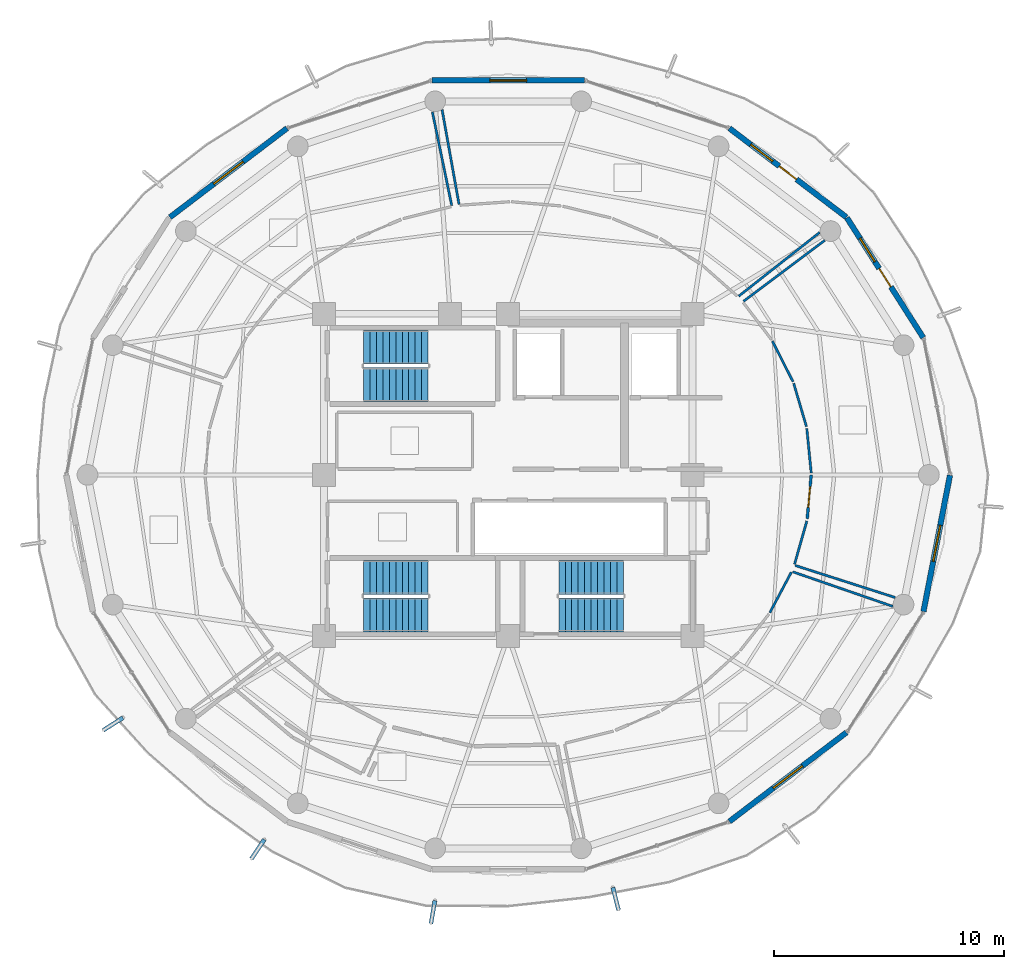
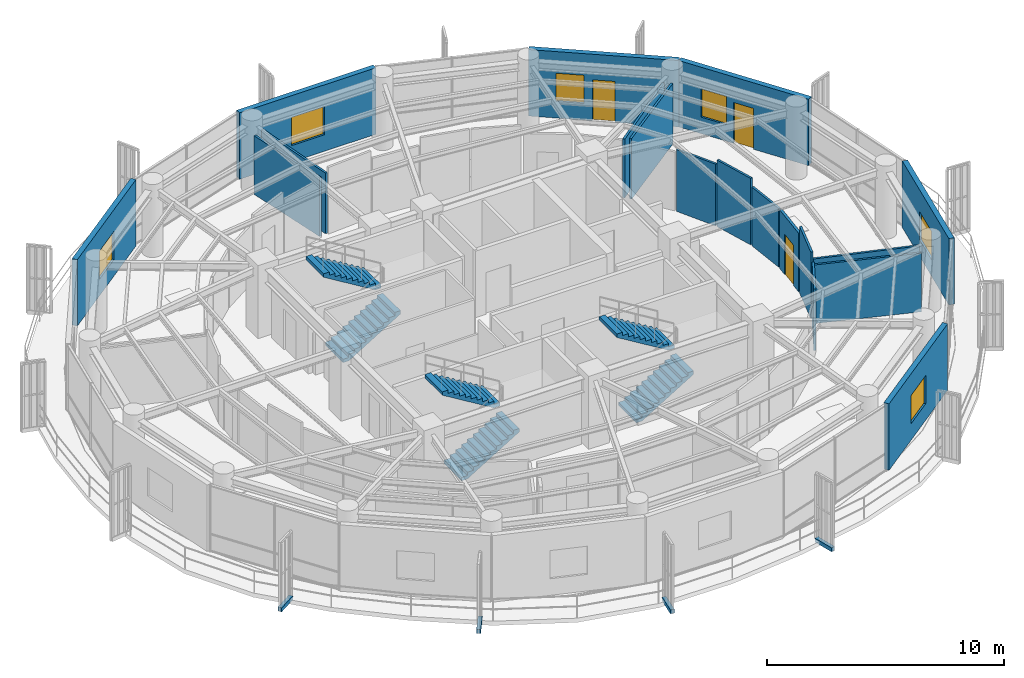
# One storey, part 18 of 23: 18 walls, 6 stair flights, 6 windows, 4 discrete accessories, 3 doors, 9 openings, 3 elements without a shape of their own.
"""IFC4 building model written with IfcOpenShell, lengths in metres."""

from ifc_helpers import new_model, si_unit, direction, frame, frame_2d, origin, origin_2d, place, context, subcontext, project, spatial, polyline, rectangle, outline, extrude, source, transform, mapped, material, layer, layer_set, type_object, element, fill, aggregate, save


model = new_model("IFC4")

# Units and contexts
model_context = context("Model", 3, precision=1e-05, world=origin(), true_north=direction((0.0, 1.0)))
body_context = subcontext(model_context, "Body", "Model", "MODEL_VIEW")
ifc_project = project(units=[si_unit("LENGTHUNIT", "METRE"), si_unit("AREAUNIT", "SQUARE_METRE"), si_unit("VOLUMEUNIT", "CUBIC_METRE"), si_unit("PLANEANGLEUNIT", "RADIAN"), si_unit("MASSUNIT", "GRAM", prefix="KILO")], contexts=[model_context])

# Site, building, storey
site_placement = place(None, origin())
site = spatial("IfcSite", under=ifc_project, at=site_placement, CompositionType="ELEMENT")
building_placement = place(site_placement, origin())
building = spatial("IfcBuilding", under=site, at=building_placement, Name="Kelanora Arch Commons", CompositionType="ELEMENT")
storey_placement = place(building_placement, frame((0.0, 0.0, 289.949951171875)))
storey = spatial("IfcBuildingStorey", under=building, at=storey_placement, Name="L74", CompositionType="ELEMENT", Elevation=289.949951171875)

# Wall, openings, door, window
ifc_material_1 = material(Name="Precast concrete C40/50 upper-zone terracotta rainscreen", Category="masonry")
ifc_layer_1 = layer(ifc_material_1, 0.239990234375)
ifc_layer_set_1 = layer_set([ifc_layer_1], Name="Precast concrete C40/50 upper-zone terracotta rainscreen")
wall_type_1 = type_object("IfcWallType", Name="W-EXT-TC2", PredefinedType="SOLIDWALL", material=ifc_layer_set_1)
wall_1_placement = place(storey_placement, frame((92.033935546875, 63.9638671875, 0.0), z_axis=(0.0, 0.0, 1.0), x_axis=(-0.537271968456, 0.843409053728, 0.0)))
wall_1 = element("IfcWall", 1, at=wall_1_placement, inside=storey, type_object=wall_type_1, Name="Terracotta Exterior Wall L74-B01", PredefinedType="SOLIDWALL", context=body_context, shape_type="SweptSolid", body=[
    extrude(rectangle(XDim=6.175048828125, YDim=0.239990234375, at=frame_2d((3.08740234375, 0.0))), origin(), (0.0, 0.0, 1.0), 3.4150390625),
])
opening_1_placement = place(wall_1_placement, frame((2.613037109375, 0.0, 0.0)))
opening_1 = element("IfcOpeningElement", 2, at=opening_1_placement, cuts=wall_1, Name="Opening DB-01", PredefinedType="OPENING", context=body_context, shape_type="SweptSolid", body=[
    extrude(rectangle(XDim=0.949951171875, YDim=2.10009765625, at=frame_2d((0.47509765625, 1.050048828125))), frame((0.0, 0.1298828125, 0.0), z_axis=(0.0, -1.0, 0.0), x_axis=(1.0, 0.0, 0.0)), (0.0, 0.0, 1.0), 0.260009765625),
])
opening_2_placement = place(wall_1_placement, frame((3.9130859375, 0.0, 0.85009765625)))
opening_2 = element("IfcOpeningElement", 3, at=opening_2_placement, cuts=wall_1, Name="Opening WN-02", PredefinedType="OPENING", context=body_context, shape_type="SweptSolid", body=[
    extrude(rectangle(XDim=1.199951171875, YDim=1.449951171875, at=frame_2d((0.60009765625, 0.72509765625))), frame((0.0, 0.1298828125, 0.0), z_axis=(0.0, -1.0, 0.0), x_axis=(1.0, 0.0, 0.0)), (0.0, 0.0, 1.0), 0.260009765625),
])
ifc_material_2 = material(Name="Terracotta-aluminium thermally broken glazed balcony door", Category="masonry")
door_type_1 = type_object("IfcDoorType", Name="D-BAL-10", OperationType="NOTDEFINED", PredefinedType="DOOR", material=ifc_material_2)
door_1_placement = place(opening_1_placement, frame((0.949951171875, 0.0, 0.0), z_axis=(0.0, 0.0, 1.0), x_axis=(-1.0, 0.0, 0.0)))
door_1 = element("IfcDoor", 4, at=door_1_placement, inside=storey, type_object=door_type_1, Name="Wave Balcony Door L74-B01", OperationType="SINGLE_SWING_RIGHT", OverallHeight=2.10009765625, OverallWidth=0.949951171875, PredefinedType="DOOR", context=body_context, shape_type="SweptSolid", body=[
    extrude(rectangle(XDim=0.949951171875, YDim=2.10009765625, at=frame_2d((0.47509765625, 1.050048828125))), frame((0.0, 0.02490234375, 0.0), z_axis=(0.0, -1.0, 0.0), x_axis=(1.0, 0.0, 0.0)), (0.0, 0.0, 1.0), 0.050048828125),
])
fill(opening_1, door_1)
ifc_material_3 = material(Name="Terracotta-anodised aluminium frame with operable awning sash", Category="masonry")
window_type_1 = type_object("IfcWindowType", Name="WIN-CL-12", PartitioningType="SINGLE_PANEL", PredefinedType="WINDOW", material=ifc_material_3)
window_1_placement = place(opening_2_placement, origin())
window_1 = element("IfcWindow", 5, at=window_1_placement, inside=storey, type_object=window_type_1, Name="Co-Living Operable Window L74-B01", OverallHeight=1.449951171875, OverallWidth=1.199951171875, PartitioningType="SINGLE_PANEL", PredefinedType="WINDOW", context=body_context, shape_type="SweptSolid", body=[
    extrude(rectangle(XDim=1.199951171875, YDim=1.449951171875, at=frame_2d((0.60009765625, 0.72509765625))), frame((0.0, 0.030029296875, 0.0), z_axis=(0.0, -1.0, 0.0), x_axis=(1.0, 0.0, 0.0)), (0.0, 0.0, 1.0), 0.06005859375),
])
fill(opening_2, window_1)

wall_2_placement = place(storey_placement, frame((88.6962890625, 69.193603515625, 0.0), z_axis=(0.0, 0.0, 1.0), x_axis=(-0.796010444211, 0.605282886514, 0.0)))
wall_2 = element("IfcWall", 6, at=wall_2_placement, inside=storey, type_object=wall_type_1, Name="Terracotta Exterior Wall L74-B02", PredefinedType="SOLIDWALL", context=body_context, shape_type="SweptSolid", body=[
    extrude(rectangle(XDim=6.387451171875, YDim=0.239990234375, at=frame_2d((3.19384765625, 0.0))), origin(), (0.0, 0.0, 1.0), 3.4150390625),
])
opening_3_placement = place(wall_2_placement, frame((2.718994140625, 0.0, 0.0)))
opening_3 = element("IfcOpeningElement", 7, at=opening_3_placement, cuts=wall_2, Name="Opening DB-01", PredefinedType="OPENING", context=body_context, shape_type="SweptSolid", body=[
    extrude(rectangle(XDim=0.949951171875, YDim=2.10009765625, at=frame_2d((0.47509765625, 1.050048828125))), frame((0.0, 0.1298828125, 0.0), z_axis=(0.0, -1.0, 0.0), x_axis=(1.0, 0.0, 0.0)), (0.0, 0.0, 1.0), 0.260009765625),
])
opening_4_placement = place(wall_2_placement, frame((4.01904296875, 0.0, 0.85009765625)))
opening_4 = element("IfcOpeningElement", 8, at=opening_4_placement, cuts=wall_2, Name="Opening WN-02", PredefinedType="OPENING", context=body_context, shape_type="SweptSolid", body=[
    extrude(rectangle(XDim=1.199951171875, YDim=1.449951171875, at=frame_2d((0.60009765625, 0.72509765625))), frame((0.0, 0.1298828125, 0.0), z_axis=(0.0, -1.0, 0.0), x_axis=(1.0, 0.0, 0.0)), (0.0, 0.0, 1.0), 0.260009765625),
])
door_2_placement = place(opening_3_placement, frame((0.949951171875, 0.0, 0.0), z_axis=(0.0, 0.0, 1.0), x_axis=(-1.0, 0.0, 0.0)))
door_2 = element("IfcDoor", 9, at=door_2_placement, inside=storey, type_object=door_type_1, Name="Wave Balcony Door L74-B02", OperationType="SINGLE_SWING_LEFT", OverallHeight=2.10009765625, OverallWidth=0.949951171875, PredefinedType="DOOR", context=body_context, shape_type="SweptSolid", body=[
    extrude(rectangle(XDim=0.949951171875, YDim=2.10009765625, at=frame_2d((0.47509765625, 1.050048828125))), frame((0.0, 0.02490234375, 0.0), z_axis=(0.0, -1.0, 0.0), x_axis=(1.0, 0.0, 0.0)), (0.0, 0.0, 1.0), 0.050048828125),
])
fill(opening_3, door_2)
window_2_placement = place(opening_4_placement, origin())
window_2 = element("IfcWindow", 10, at=window_2_placement, inside=storey, type_object=window_type_1, Name="Co-Living Operable Window L74-B02", OverallHeight=1.449951171875, OverallWidth=1.199951171875, PartitioningType="SINGLE_PANEL", PredefinedType="WINDOW", context=body_context, shape_type="SweptSolid", body=[
    extrude(rectangle(XDim=1.199951171875, YDim=1.449951171875, at=frame_2d((0.60009765625, 0.72509765625))), frame((0.0, 0.030029296875, 0.0), z_axis=(0.0, -1.0, 0.0), x_axis=(1.0, 0.0, 0.0)), (0.0, 0.0, 1.0), 0.06005859375),
])
fill(opening_4, window_2)

# Wall, opening, window
wall_3_placement = place(storey_placement, frame((77.319091796875, 75.1357421875, 0.0), z_axis=(0.0, 0.0, 1.0), x_axis=(-1.0, 0.0, 0.0)))
wall_3 = element("IfcWall", 11, at=wall_3_placement, inside=storey, type_object=wall_type_1, Name="Terracotta Exterior Wall L74-B04", PredefinedType="SOLIDWALL", context=body_context, shape_type="SweptSolid", body=[
    extrude(rectangle(XDim=6.63818359375, YDim=0.239990234375, at=frame_2d((3.319091796875, 0.0))), origin(), (0.0, 0.0, 1.0), 3.4150390625),
])
opening_5_placement = place(wall_3_placement, frame((2.51904296875, 0.0, 0.85009765625)))
opening_5 = element("IfcOpeningElement", 12, at=opening_5_placement, cuts=wall_3, Name="Opening WN-01", PredefinedType="OPENING", context=body_context, shape_type="SweptSolid", body=[
    extrude(rectangle(XDim=1.60009765625, YDim=1.449951171875, at=frame_2d((0.800048828125, 0.72509765625))), frame((0.0, 0.1298828125, 0.0), z_axis=(0.0, -1.0, 0.0), x_axis=(1.0, 0.0, 0.0)), (0.0, 0.0, 1.0), 0.260009765625),
])
ifc_material_4 = material(Name="Terracotta-anodised aluminium frame with operable low-E glazing", Category="masonry")
window_type_2 = type_object("IfcWindowType", Name="WIN-CL-18", PartitioningType="DOUBLE_PANEL_VERTICAL", PredefinedType="WINDOW", material=ifc_material_4)
window_3_placement = place(opening_5_placement, origin())
window_3 = element("IfcWindow", 13, at=window_3_placement, inside=storey, type_object=window_type_2, Name="Co-Living Operable Window L74-B04", OverallHeight=1.449951171875, OverallWidth=1.60009765625, PartitioningType="SINGLE_PANEL", PredefinedType="WINDOW", context=body_context, shape_type="SweptSolid", body=[
    extrude(rectangle(XDim=1.60009765625, YDim=1.449951171875, at=frame_2d((0.800048828125, 0.72509765625))), frame((0.0, 0.030029296875, 0.0), z_axis=(0.0, -1.0, 0.0), x_axis=(1.0, 0.0, 0.0)), (0.0, 0.0, 1.0), 0.06005859375),
])
fill(opening_5, window_3)

wall_4_placement = place(storey_placement, frame((64.38818359375, 73.059814453125, 0.0), z_axis=(0.0, 0.0, 1.0), x_axis=(-0.796010444211, -0.605282886514, 0.0)))
wall_4 = element("IfcWall", 14, at=wall_4_placement, inside=storey, type_object=wall_type_1, Name="Terracotta Exterior Wall L74-B06", PredefinedType="SOLIDWALL", context=body_context, shape_type="SweptSolid", body=[
    extrude(rectangle(XDim=6.387451171875, YDim=0.239990234375, at=frame_2d((3.19384765625, 0.0))), origin(), (0.0, 0.0, 1.0), 3.4150390625),
])
opening_6_placement = place(wall_4_placement, frame((2.39404296875, 0.0, 0.85009765625)))
opening_6 = element("IfcOpeningElement", 15, at=opening_6_placement, cuts=wall_4, Name="Opening WN-01", PredefinedType="OPENING", context=body_context, shape_type="SweptSolid", body=[
    extrude(rectangle(XDim=1.60009765625, YDim=1.449951171875, at=frame_2d((0.800048828125, 0.72509765625))), frame((0.0, 0.1298828125, 0.0), z_axis=(0.0, -1.0, 0.0), x_axis=(1.0, 0.0, 0.0)), (0.0, 0.0, 1.0), 0.260009765625),
])
window_4_placement = place(opening_6_placement, origin())
window_4 = element("IfcWindow", 16, at=window_4_placement, inside=storey, type_object=window_type_2, Name="Co-Living Operable Window L74-B06", OverallHeight=1.449951171875, OverallWidth=1.60009765625, PartitioningType="SINGLE_PANEL", PredefinedType="WINDOW", context=body_context, shape_type="SweptSolid", body=[
    extrude(rectangle(XDim=1.60009765625, YDim=1.449951171875, at=frame_2d((0.800048828125, 0.72509765625))), frame((0.0, 0.030029296875, 0.0), z_axis=(0.0, -1.0, 0.0), x_axis=(1.0, 0.0, 0.0)), (0.0, 0.0, 1.0), 0.06005859375),
])
fill(opening_6, window_4)

wall_5_placement = place(storey_placement, frame((83.61181640625, 42.940185546875, 0.0), z_axis=(0.0, 0.0, 1.0), x_axis=(0.796010444211, 0.605282886514, 0.0)))
wall_5 = element("IfcWall", 17, at=wall_5_placement, inside=storey, type_object=wall_type_1, Name="Terracotta Exterior Wall L74-B15", PredefinedType="SOLIDWALL", context=body_context, shape_type="SweptSolid", body=[
    extrude(rectangle(XDim=6.387451171875, YDim=0.239990234375, at=frame_2d((3.19384765625, 0.0))), origin(), (0.0, 0.0, 1.0), 3.4150390625),
])
opening_7_placement = place(wall_5_placement, frame((2.39404296875, 0.0, 0.85009765625)))
opening_7 = element("IfcOpeningElement", 18, at=opening_7_placement, cuts=wall_5, Name="Opening WN-01", PredefinedType="OPENING", context=body_context, shape_type="SweptSolid", body=[
    extrude(rectangle(XDim=1.60009765625, YDim=1.449951171875, at=frame_2d((0.800048828125, 0.72509765625))), frame((0.0, 0.1298828125, 0.0), z_axis=(0.0, -1.0, 0.0), x_axis=(1.0, 0.0, 0.0)), (0.0, 0.0, 1.0), 0.260009765625),
])
window_5_placement = place(opening_7_placement, origin())
window_5 = element("IfcWindow", 19, at=window_5_placement, inside=storey, type_object=window_type_2, Name="Co-Living Operable Window L74-B15", OverallHeight=1.449951171875, OverallWidth=1.60009765625, PartitioningType="SINGLE_PANEL", PredefinedType="WINDOW", context=body_context, shape_type="SweptSolid", body=[
    extrude(rectangle(XDim=1.60009765625, YDim=1.449951171875, at=frame_2d((0.800048828125, 0.72509765625))), frame((0.0, 0.030029296875, 0.0), z_axis=(0.0, -1.0, 0.0), x_axis=(1.0, 0.0, 0.0)), (0.0, 0.0, 1.0), 0.06005859375),
])
fill(opening_7, window_5)

wall_6_placement = place(storey_placement, frame((92.044921875, 52.0634765625, 0.0), z_axis=(0.0, 0.0, 1.0), x_axis=(0.190969309115, 0.981596008028, 0.0)))
wall_6 = element("IfcWall", 20, at=wall_6_placement, inside=storey, type_object=wall_type_1, Name="Terracotta Exterior Wall L74-B17", PredefinedType="SOLIDWALL", context=body_context, shape_type="SweptSolid", body=[
    extrude(rectangle(XDim=6.032958984375, YDim=0.239990234375, at=frame_2d((3.0166015625, 0.0))), origin(), (0.0, 0.0, 1.0), 3.4150390625),
])
opening_8_placement = place(wall_6_placement, frame((2.216064453125, 0.0, 0.85009765625)))
opening_8 = element("IfcOpeningElement", 21, at=opening_8_placement, cuts=wall_6, Name="Opening WN-01", PredefinedType="OPENING", context=body_context, shape_type="SweptSolid", body=[
    extrude(rectangle(XDim=1.60009765625, YDim=1.449951171875, at=frame_2d((0.800048828125, 0.72509765625))), frame((0.0, 0.1298828125, 0.0), z_axis=(0.0, -1.0, 0.0), x_axis=(1.0, 0.0, 0.0)), (0.0, 0.0, 1.0), 0.260009765625),
])
window_6_placement = place(opening_8_placement, origin())
window_6 = element("IfcWindow", 22, at=window_6_placement, inside=storey, type_object=window_type_2, Name="Co-Living Operable Window L74-B17", OverallHeight=1.449951171875, OverallWidth=1.60009765625, PartitioningType="SINGLE_PANEL", PredefinedType="WINDOW", context=body_context, shape_type="SweptSolid", body=[
    extrude(rectangle(XDim=1.60009765625, YDim=1.449951171875, at=frame_2d((0.800048828125, 0.72509765625))), frame((0.0, 0.030029296875, 0.0), z_axis=(0.0, -1.0, 0.0), x_axis=(1.0, 0.0, 0.0)), (0.0, 0.0, 1.0), 0.06005859375),
])
fill(opening_8, window_6)

# Walls
ifc_material_5 = material(Name="Lightweight fire-rated acoustic stud partition")
ifc_layer_2 = layer(ifc_material_5, 0.10009765625)
ifc_layer_set_2 = layer_set([ifc_layer_2], Name="Lightweight fire-rated acoustic stud partition")
wall_type_2 = type_object("IfcWallType", Name="W-PART-100", PredefinedType="PARTITIONING", material=ifc_layer_set_2)
wall_7_placement = place(storey_placement, frame((70.706787109375, 73.769775390625, 0.0), z_axis=(0.0, 0.0, 1.0), x_axis=(0.202308141573, -0.979321916355, 0.0)))
element("IfcWall", 23, at=wall_7_placement, inside=storey, type_object=wall_type_2, Name="Communal Dining and Social Hall L74-01 Enclosure Partition 14", PredefinedType="PARTITIONING", context=body_context, shape_type="SweptSolid", body=[
    extrude(rectangle(XDim=4.152587890625, YDim=0.10009765625, at=frame_2d((2.076171875, 0.0))), origin(), (0.0, 0.0, 1.0), 3.01513671875),
])
wall_8_placement = place(storey_placement, frame((85.370849609375, 52.016357421875, 0.0), z_axis=(0.0, 0.0, 1.0), x_axis=(0.468933294906, 0.883233584579, 0.0)))
element("IfcWall", 24, at=wall_8_placement, inside=storey, type_object=wall_type_2, Name="Quiet Seminar Study Room L74-04 Enclosure Partition 6", PredefinedType="PARTITIONING", context=body_context, shape_type="SweptSolid", body=[
    extrude(rectangle(XDim=1.984130859375, YDim=0.10009765625, at=frame_2d((0.9921875, 0.0))), origin(), (0.0, 0.0, 1.0), 3.175048828125),
])
wall_9_placement = place(storey_placement, frame((86.35791015625, 53.791015625, 0.0), z_axis=(0.0, 0.0, 1.0), x_axis=(0.945103281494, -0.326771766388, 0.0)))
element("IfcWall", 25, at=wall_9_placement, inside=storey, type_object=wall_type_2, Name="Quiet Seminar Study Room L74-04 Enclosure Partition 7", PredefinedType="PARTITIONING", context=body_context, shape_type="SweptSolid", body=[
    extrude(rectangle(XDim=4.603759765625, YDim=0.10009765625, at=frame_2d((2.3017578125, 0.0))), origin(), (0.0, 0.0, 1.0), 3.01513671875),
])
wall_10_placement = place(storey_placement, frame((86.44091796875, 54.115478515625, 0.0), z_axis=(0.0, 0.0, 1.0), x_axis=(0.274226302341, 0.961665188673, 0.0)))
element("IfcWall", 26, at=wall_10_placement, inside=storey, type_object=wall_type_2, Name="Communal Dining and Social Hall L74-05 Enclosure Partition 1", PredefinedType="PARTITIONING", context=body_context, shape_type="SweptSolid", body=[
    extrude(rectangle(XDim=1.955078125, YDim=0.10009765625, at=frame_2d((0.9775390625, 0.0))), origin(), (0.0, 0.0, 1.0), 3.420166015625),
])
wall_11_placement = place(storey_placement, frame((87.166015625, 58.087890625, 0.0), z_axis=(0.0, 0.0, 1.0), x_axis=(-0.098769631998, 0.995110325439, 0.0)))
element("IfcWall", 27, at=wall_11_placement, inside=storey, type_object=wall_type_2, Name="Communal Dining and Social Hall L74-05 Enclosure Partition 3", PredefinedType="PARTITIONING", context=body_context, shape_type="SweptSolid", body=[
    extrude(rectangle(XDim=1.94287109375, YDim=0.10009765625, at=frame_2d((0.971435546875, 0.0))), origin(), (0.0, 0.0, 1.0), 3.01513671875),
])
wall_12_placement = place(storey_placement, frame((86.958740234375, 60.099365234375, 0.0), z_axis=(0.0, 0.0, 1.0), x_axis=(-0.28293653612, 0.959138632591, 0.0)))
element("IfcWall", 28, at=wall_12_placement, inside=storey, type_object=wall_type_2, Name="Communal Dining and Social Hall L74-05 Enclosure Partition 4", PredefinedType="PARTITIONING", context=body_context, shape_type="SweptSolid", body=[
    extrude(rectangle(XDim=1.9560546875, YDim=0.10009765625, at=frame_2d((0.97802734375, 0.0))), origin(), (0.0, 0.0, 1.0), 3.420166015625),
])
wall_13_placement = place(storey_placement, frame((86.3759765625, 62.049560546875, 0.0), z_axis=(0.0, 0.0, 1.0), x_axis=(-0.453658133306, 0.891175795276, 0.0)))
element("IfcWall", 29, at=wall_13_placement, inside=storey, type_object=wall_type_2, Name="Communal Dining and Social Hall L74-05 Enclosure Partition 5", PredefinedType="PARTITIONING", context=body_context, shape_type="SweptSolid", body=[
    extrude(rectangle(XDim=1.9814453125, YDim=0.10009765625, at=frame_2d((0.99072265625, 0.0))), origin(), (0.0, 0.0, 1.0), 3.175048828125),
])
wall_14_placement = place(storey_placement, frame((84.222900390625, 65.5419921875, 0.0), z_axis=(0.0, 0.0, 1.0), x_axis=(0.800384816546, 0.599486568191, 0.0)))
element("IfcWall", 30, at=wall_14_placement, inside=storey, type_object=wall_type_2, Name="Communal Dining and Social Hall L74-05 Enclosure Partition 7", PredefinedType="PARTITIONING", context=body_context, shape_type="SweptSolid", body=[
    extrude(rectangle(XDim=4.413818359375, YDim=0.10009765625, at=frame_2d((2.20703125, 0.0))), origin(), (0.0, 0.0, 1.0), 3.114990234375),
])
wall_15_placement = place(storey_placement, frame((90.815673828125, 52.671142578125, 0.0), z_axis=(0.0, 0.0, 1.0), x_axis=(-0.95227750557, 0.305233602976, 0.0)))
element("IfcWall", 31, at=wall_15_placement, inside=storey, type_object=wall_type_2, Name="Communal Dining and Social Hall L74-05 Enclosure Partition 14", PredefinedType="PARTITIONING", context=body_context, shape_type="SweptSolid", body=[
    extrude(rectangle(XDim=4.5654296875, YDim=0.10009765625, at=frame_2d((2.28271484375, 0.0))), origin(), (0.0, 0.0, 1.0), 3.114990234375),
])
wall_16_placement = place(storey_placement, frame((71.864990234375, 69.75341796875, 0.0), z_axis=(0.0, 0.0, 1.0), x_axis=(-0.176199339585, 0.984354505618, 0.0)))
element("IfcWall", 32, at=wall_16_placement, inside=storey, type_object=wall_type_2, Name="Social Sky Lounge L74-06 Enclosure Partition 7", PredefinedType="PARTITIONING", context=body_context, shape_type="SweptSolid", body=[
    extrude(rectangle(XDim=4.17626953125, YDim=0.10009765625, at=frame_2d((2.088134765625, 0.0))), origin(), (0.0, 0.0, 1.0), 3.114990234375),
])
wall_17_placement = place(storey_placement, frame((87.5322265625, 68.532470703125, 0.0), z_axis=(0.0, 0.0, 1.0), x_axis=(-0.785736749878, -0.618561039745, 0.0)))
element("IfcWall", 33, at=wall_17_placement, inside=storey, type_object=wall_type_2, Name="Social Sky Lounge L74-06 Enclosure Partition 14", PredefinedType="PARTITIONING", context=body_context, shape_type="SweptSolid", body=[
    extrude(rectangle(XDim=4.474609375, YDim=0.10009765625, at=frame_2d((2.2373046875, 0.0))), origin(), (0.0, 0.0, 1.0), 3.01513671875),
])

# Wall, opening, door
ifc_material_6 = material(Name="Acoustic twin-stud fire-rated gypsum partition")
ifc_layer_3 = layer(ifc_material_6, 0.1201171875)
ifc_layer_set_3 = layer_set([ifc_layer_3], Name="Acoustic twin-stud fire-rated gypsum partition")
wall_type_3 = type_object("IfcWallType", Name="W-PART-120", PredefinedType="PARTITIONING", material=ifc_layer_set_3)
wall_18_placement = place(storey_placement, frame((86.993408203125, 56.09375, 0.0), z_axis=(0.0, 0.0, 1.0), x_axis=(0.089968706127, 0.995944592795, 0.0)))
wall_18 = element("IfcWall", 34, at=wall_18_placement, inside=storey, type_object=wall_type_3, Name="Communal Dining and Social Hall L74-05 Entry Partition", PredefinedType="PARTITIONING", context=body_context, shape_type="SweptSolid", body=[
    extrude(rectangle(XDim=1.90234375, YDim=0.1201171875, at=frame_2d((0.951171875, 0.0))), origin(), (0.0, 0.0, 1.0), 3.01513671875),
])
opening_9_placement = place(wall_18_placement, frame((0.5009765625, 0.0, 0.0)))
opening_9 = element("IfcOpeningElement", 35, at=opening_9_placement, cuts=wall_18, Name="Opening D-RM1", PredefinedType="OPENING", context=body_context, shape_type="SweptSolid", body=[
    extrude(rectangle(XDim=0.89990234375, YDim=2.080078125, at=frame_2d((0.449951171875, 1.0400390625))), frame((0.0, 0.070068359375, 0.0), z_axis=(0.0, -1.0, 0.0), x_axis=(1.0, 0.0, 0.0)), (0.0, 0.0, 1.0), 0.14013671875),
])
ifc_material_7 = material(Name="Acoustic fire-rated timber study and lounge door", Category="wood")
door_type_2 = type_object("IfcDoorType", Name="D-ROOM-90", OperationType="NOTDEFINED", PredefinedType="DOOR", material=ifc_material_7)
door_3_placement = place(opening_9_placement, origin())
door_3 = element("IfcDoor", 36, at=door_3_placement, inside=storey, type_object=door_type_2, Name="Communal Dining and Social Hall L74-05 Door", OperationType="SINGLE_SWING_RIGHT", OverallHeight=2.080078125, OverallWidth=0.89990234375, PredefinedType="DOOR", context=body_context, shape_type="SweptSolid", body=[
    extrude(rectangle(XDim=0.89990234375, YDim=2.080078125, at=frame_2d((0.449951171875, 1.0400390625))), frame((0.0, 0.02490234375, 0.0), z_axis=(0.0, -1.0, 0.0), x_axis=(1.0, 0.0, 0.0)), (0.0, 0.0, 1.0), 0.050048828125),
])
fill(opening_9, door_3)

# Stair, stair flights
ifc_material_8 = material(Name="Concrete C40/50", Category="concrete")
stair_type = type_object("IfcStairType", Name="STR-DL-375", PredefinedType="HALF_TURN_STAIR", material=ifc_material_8)
stair_1_placement = place(storey_placement, origin())
stair_1 = element("IfcStair", 37, at=stair_1_placement, inside=storey, type_object=stair_type, Name="L74 ST-T1", PredefinedType="HALF_TURN_STAIR")
stair_flight_type = type_object("IfcStairFlightType", Name="FLT-DL-375", PredefinedType="STRAIGHT", material=ifc_material_8)
stair_flight_1_placement = place(storey_placement, frame((67.719970703125, 61.919921875, 0.0), z_axis=(0.0, 0.0, 1.0), x_axis=(1.0, 0.0, 0.0)))
stair_flight_1 = element("IfcStairFlight", 38, at=stair_flight_1_placement, type_object=stair_flight_type, Name="ST-T1 flight 1", NumberOfRisers=11, NumberOfTreads=10, PredefinedType="STRAIGHT", RiserHeight=0.170454545, TreadLength=0.28, context=body_context, shape_type="SweptSolid", body=[
    extrude(outline(polyline([(0.0, 0.0), (0.0, 0.17041015625), (0.280029296875, 0.17041015625), (0.280029296875, 0.3408203125), (0.56005859375, 0.3408203125), (0.56005859375, 0.511474609375), (0.840087890625, 0.511474609375), (0.840087890625, 0.681884765625), (1.1201171875, 0.681884765625), (1.1201171875, 0.852294921875), (1.39990234375, 0.852294921875), (1.39990234375, 1.022705078125), (1.679931640625, 1.022705078125), (1.679931640625, 1.193115234375), (1.9599609375, 1.193115234375), (1.9599609375, 1.363525390625), (2.239990234375, 1.363525390625), (2.239990234375, 1.5341796875), (2.52001953125, 1.5341796875), (2.52001953125, 1.70458984375), (2.800048828125, 1.70458984375), (2.800048828125, 1.875), (2.800048828125, 1.529052734375), (0.288330078125, 0.0), (0.0, 0.0)])), frame((0.0, 0.739990234375, 0.0), z_axis=(0.0, -1.0, 0.0), x_axis=(1.0, 0.0, 0.0)), (0.0, 0.0, 1.0), 1.47998046875),
])
stair_flight_2_placement = place(storey_placement, frame((70.52001953125, 63.550048828125, 1.875), z_axis=(0.0, 0.0, 1.0), x_axis=(-1.0, 0.0, 0.0)))
stair_flight_2 = element("IfcStairFlight", 39, at=stair_flight_2_placement, type_object=stair_flight_type, Name="ST-T1 flight 2", NumberOfRisers=11, NumberOfTreads=10, PredefinedType="STRAIGHT", RiserHeight=0.170454545, TreadLength=0.28, context=body_context, shape_type="SweptSolid", body=[
    extrude(outline(polyline([(0.0, 0.0), (0.0, 0.17041015625), (0.280029296875, 0.17041015625), (0.280029296875, 0.3408203125), (0.56005859375, 0.3408203125), (0.56005859375, 0.511474609375), (0.840087890625, 0.511474609375), (0.840087890625, 0.681884765625), (1.1201171875, 0.681884765625), (1.1201171875, 0.852294921875), (1.39990234375, 0.852294921875), (1.39990234375, 1.022705078125), (1.679931640625, 1.022705078125), (1.679931640625, 1.193115234375), (1.9599609375, 1.193115234375), (1.9599609375, 1.363525390625), (2.239990234375, 1.363525390625), (2.239990234375, 1.5341796875), (2.52001953125, 1.5341796875), (2.52001953125, 1.70458984375), (2.800048828125, 1.70458984375), (2.800048828125, 1.875), (2.800048828125, 1.529052734375), (0.288330078125, 0.0), (0.0, 0.0)])), frame((0.0, 0.739990234375, 0.0), z_axis=(0.0, -1.0, 0.0), x_axis=(1.0, 0.0, 0.0)), (0.0, 0.0, 1.0), 1.47998046875),
])
aggregate(stair_1, [stair_flight_1, stair_flight_2])

stair_2_placement = place(storey_placement, origin())
stair_2 = element("IfcStair", 40, at=stair_2_placement, inside=storey, type_object=stair_type, Name="L74 ST-T2", PredefinedType="HALF_TURN_STAIR")
stair_flight_3_placement = place(storey_placement, frame((76.199951171875, 51.919921875, 0.0), z_axis=(0.0, 0.0, 1.0), x_axis=(1.0, 0.0, 0.0)))
stair_flight_3 = element("IfcStairFlight", 41, at=stair_flight_3_placement, type_object=stair_flight_type, Name="ST-T2 flight 1", NumberOfRisers=11, NumberOfTreads=10, PredefinedType="STRAIGHT", RiserHeight=0.170454545, TreadLength=0.28, context=body_context, shape_type="SweptSolid", body=[
    extrude(outline(polyline([(0.0, 0.0), (0.0, 0.17041015625), (0.280029296875, 0.17041015625), (0.280029296875, 0.3408203125), (0.56005859375, 0.3408203125), (0.56005859375, 0.511474609375), (0.840087890625, 0.511474609375), (0.840087890625, 0.681884765625), (1.1201171875, 0.681884765625), (1.1201171875, 0.852294921875), (1.39990234375, 0.852294921875), (1.39990234375, 1.022705078125), (1.679931640625, 1.022705078125), (1.679931640625, 1.193115234375), (1.9599609375, 1.193115234375), (1.9599609375, 1.363525390625), (2.239990234375, 1.363525390625), (2.239990234375, 1.5341796875), (2.52001953125, 1.5341796875), (2.52001953125, 1.70458984375), (2.800048828125, 1.70458984375), (2.800048828125, 1.875), (2.800048828125, 1.529052734375), (0.288330078125, 0.0), (0.0, 0.0)])), frame((0.0, 0.739990234375, 0.0), z_axis=(0.0, -1.0, 0.0), x_axis=(1.0, 0.0, 0.0)), (0.0, 0.0, 1.0), 1.47998046875),
])
stair_flight_4_placement = place(storey_placement, frame((79.0, 53.550048828125, 1.875), z_axis=(0.0, 0.0, 1.0), x_axis=(-1.0, 0.0, 0.0)))
stair_flight_4 = element("IfcStairFlight", 42, at=stair_flight_4_placement, type_object=stair_flight_type, Name="ST-T2 flight 2", NumberOfRisers=11, NumberOfTreads=10, PredefinedType="STRAIGHT", RiserHeight=0.170454545, TreadLength=0.28, context=body_context, shape_type="SweptSolid", body=[
    extrude(outline(polyline([(0.0, 0.0), (0.0, 0.17041015625), (0.280029296875, 0.17041015625), (0.280029296875, 0.3408203125), (0.56005859375, 0.3408203125), (0.56005859375, 0.511474609375), (0.840087890625, 0.511474609375), (0.840087890625, 0.681884765625), (1.1201171875, 0.681884765625), (1.1201171875, 0.852294921875), (1.39990234375, 0.852294921875), (1.39990234375, 1.022705078125), (1.679931640625, 1.022705078125), (1.679931640625, 1.193115234375), (1.9599609375, 1.193115234375), (1.9599609375, 1.363525390625), (2.239990234375, 1.363525390625), (2.239990234375, 1.5341796875), (2.52001953125, 1.5341796875), (2.52001953125, 1.70458984375), (2.800048828125, 1.70458984375), (2.800048828125, 1.875), (2.800048828125, 1.529052734375), (0.288330078125, 0.0), (0.0, 0.0)])), frame((0.0, 0.739990234375, 0.0), z_axis=(0.0, -1.0, 0.0), x_axis=(1.0, 0.0, 0.0)), (0.0, 0.0, 1.0), 1.47998046875),
])
aggregate(stair_2, [stair_flight_3, stair_flight_4])

stair_3_placement = place(storey_placement, origin())
stair_3 = element("IfcStair", 43, at=stair_3_placement, inside=storey, type_object=stair_type, Name="L74 ST-T3", PredefinedType="HALF_TURN_STAIR")
stair_flight_5_placement = place(storey_placement, frame((67.719970703125, 51.919921875, 0.0), z_axis=(0.0, 0.0, 1.0), x_axis=(1.0, 0.0, 0.0)))
stair_flight_5 = element("IfcStairFlight", 44, at=stair_flight_5_placement, type_object=stair_flight_type, Name="ST-T3 flight 1", NumberOfRisers=11, NumberOfTreads=10, PredefinedType="STRAIGHT", RiserHeight=0.170454545, TreadLength=0.28, context=body_context, shape_type="SweptSolid", body=[
    extrude(outline(polyline([(0.0, 0.0), (0.0, 0.17041015625), (0.280029296875, 0.17041015625), (0.280029296875, 0.3408203125), (0.56005859375, 0.3408203125), (0.56005859375, 0.511474609375), (0.840087890625, 0.511474609375), (0.840087890625, 0.681884765625), (1.1201171875, 0.681884765625), (1.1201171875, 0.852294921875), (1.39990234375, 0.852294921875), (1.39990234375, 1.022705078125), (1.679931640625, 1.022705078125), (1.679931640625, 1.193115234375), (1.9599609375, 1.193115234375), (1.9599609375, 1.363525390625), (2.239990234375, 1.363525390625), (2.239990234375, 1.5341796875), (2.52001953125, 1.5341796875), (2.52001953125, 1.70458984375), (2.800048828125, 1.70458984375), (2.800048828125, 1.875), (2.800048828125, 1.529052734375), (0.288330078125, 0.0), (0.0, 0.0)])), frame((0.0, 0.739990234375, 0.0), z_axis=(0.0, -1.0, 0.0), x_axis=(1.0, 0.0, 0.0)), (0.0, 0.0, 1.0), 1.47998046875),
])
stair_flight_6_placement = place(storey_placement, frame((70.52001953125, 53.550048828125, 1.875), z_axis=(0.0, 0.0, 1.0), x_axis=(-1.0, 0.0, 0.0)))
stair_flight_6 = element("IfcStairFlight", 45, at=stair_flight_6_placement, type_object=stair_flight_type, Name="ST-T3 flight 2", NumberOfRisers=11, NumberOfTreads=10, PredefinedType="STRAIGHT", RiserHeight=0.170454545, TreadLength=0.28, context=body_context, shape_type="SweptSolid", body=[
    extrude(outline(polyline([(0.0, 0.0), (0.0, 0.17041015625), (0.280029296875, 0.17041015625), (0.280029296875, 0.3408203125), (0.56005859375, 0.3408203125), (0.56005859375, 0.511474609375), (0.840087890625, 0.511474609375), (0.840087890625, 0.681884765625), (1.1201171875, 0.681884765625), (1.1201171875, 0.852294921875), (1.39990234375, 0.852294921875), (1.39990234375, 1.022705078125), (1.679931640625, 1.022705078125), (1.679931640625, 1.193115234375), (1.9599609375, 1.193115234375), (1.9599609375, 1.363525390625), (2.239990234375, 1.363525390625), (2.239990234375, 1.5341796875), (2.52001953125, 1.5341796875), (2.52001953125, 1.70458984375), (2.800048828125, 1.70458984375), (2.800048828125, 1.875), (2.800048828125, 1.529052734375), (0.288330078125, 0.0), (0.0, 0.0)])), frame((0.0, 0.739990234375, 0.0), z_axis=(0.0, -1.0, 0.0), x_axis=(1.0, 0.0, 0.0)), (0.0, 0.0, 1.0), 1.47998046875),
])
aggregate(stair_3, [stair_flight_5, stair_flight_6])

# Discrete accessories
ifc_material_9 = material(Name="Stainless steel 316 marine fin bracket", Category="steel")
discrete_accessory_type = type_object("IfcDiscreteAccessoryType", Name="ACC-FIN-BRK", PredefinedType="BRACKET", material=ifc_material_9)
shared_shape = source(origin(), body_context, "Body", "SweptSolid", [
    extrude(rectangle(XDim=1.0107421875, YDim=0.179931640625, at=origin_2d()), origin(), (0.0, 0.0, 1.0), 0.199951171875),
])
for number, where, z_axis, x_axis, name in (
    (46, (56.834716796875, 47.17578125, -0.16015625), (0.0, 0.0, 1.0), (-0.845820942125, -0.533466900438, 0.0), "Sweeping Fin Cantilever Spine Bracket L74-09"),
    (47, (63.125, 41.733642578125, -0.16015625), (0.0, 0.0, 1.0), (-0.555715343381, -0.831372634341, 0.0), "Sweeping Fin Cantilever Spine Bracket L74-10"),
    (48, (70.73095703125, 39.00439453125, -0.16015625), (0.0, 0.0, 1.0), (-0.169521513251, -0.985526486983, 0.0), "Sweeping Fin Cantilever Spine Bracket L74-11"),
    (49, (78.672119140625, 39.583251953125, -0.16015625), (0.0, 0.0, 1.0), (0.245984126575, -0.969273856799, 0.0), "Sweeping Fin Cantilever Spine Bracket L74-12"),
):
    element("IfcDiscreteAccessory", number, at=place(storey_placement, frame(where, z_axis=z_axis, x_axis=x_axis)), inside=storey, type_object=discrete_accessory_type, Name=name, PredefinedType="BRACKET", context=body_context, shape_type="MappedRepresentation", body=[
        mapped(shared_shape, transform((0.0, 0.0, 0.0), scale=1.0)),
    ])

save(model, "model.ifc")
